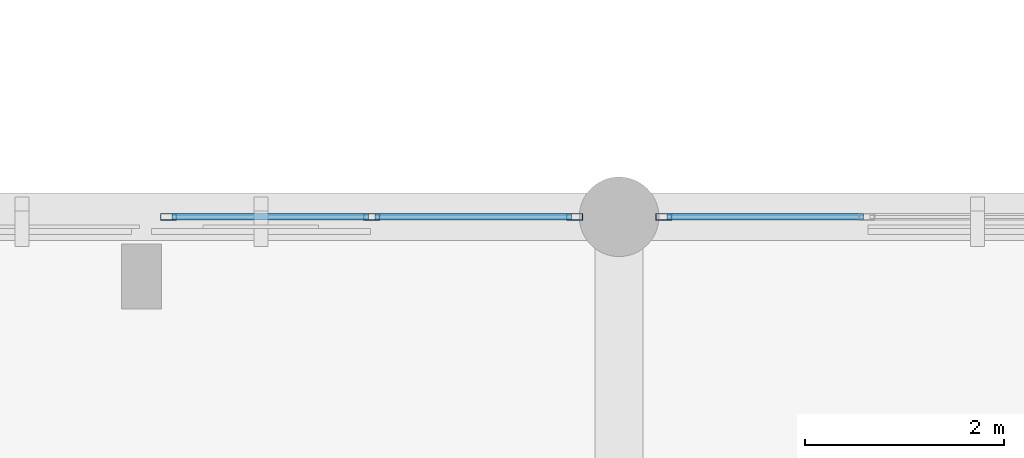
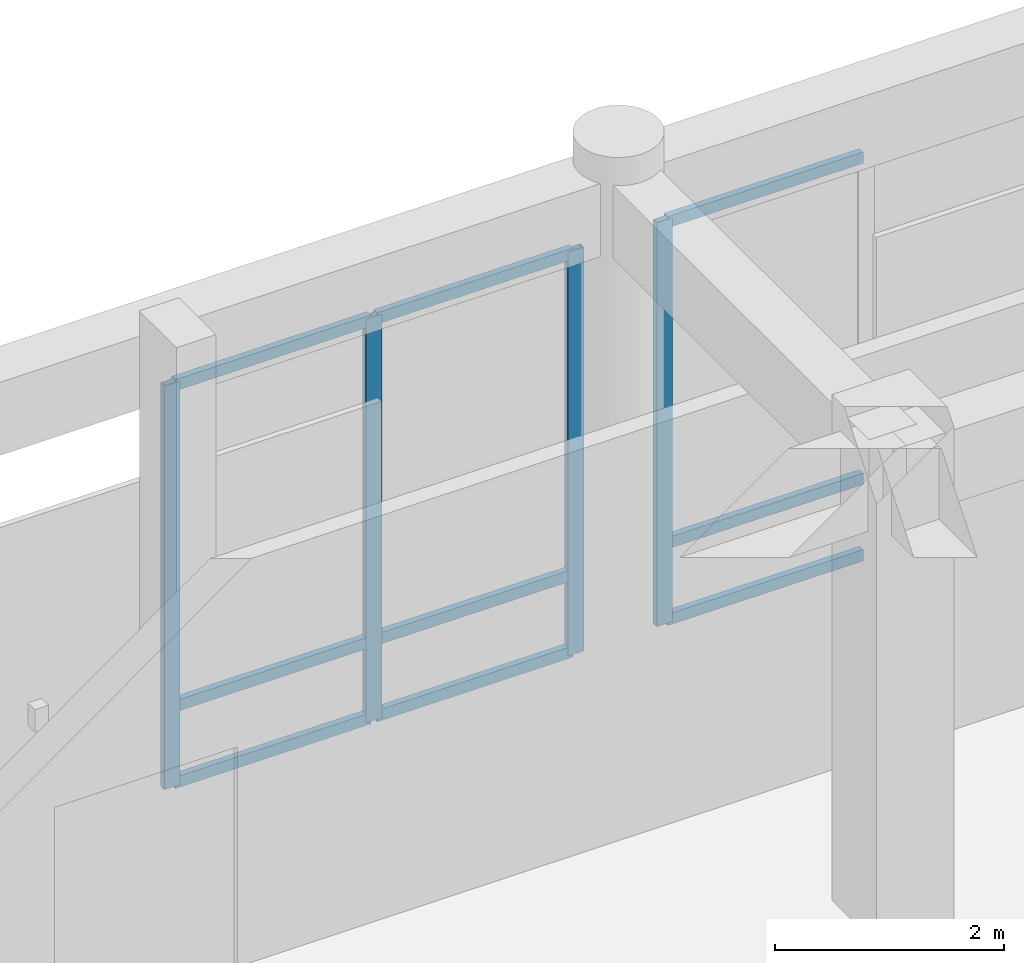
# One storey, part 26 of 134: 13 members, 2 elements without a shape of their own.
"""IFC4 building model written with IfcOpenShell, lengths in metres."""

from ifc_helpers import new_model, si_unit, direction, frame, origin, origin_2d, place, context, subcontext, project, spatial, hollow_rectangle, extrude, material, layer, layer_set, material_profile, profile_set, type_object, element, aggregate, save


model = new_model("IFC4")

# Units and contexts
model_context = context("Model", 3, precision=1e-05, world=origin(), true_north=direction((0.0, 1.0)))
body_context = subcontext(model_context, "Body", "Model", "MODEL_VIEW")
ifc_project = project(units=[si_unit("LENGTHUNIT", "METRE"), si_unit("AREAUNIT", "SQUARE_METRE"), si_unit("VOLUMEUNIT", "CUBIC_METRE"), si_unit("PLANEANGLEUNIT", "RADIAN"), si_unit("MASSUNIT", "GRAM", prefix="KILO")], contexts=[model_context])

# Site, building, storey
site_placement = place(None, origin())
site = spatial("IfcSite", under=ifc_project, at=site_placement, CompositionType="ELEMENT")
building_placement = place(site_placement, origin())
building = spatial("IfcBuilding", under=site, at=building_placement, Name="Nakhvara Creek Congress Hotel", CompositionType="ELEMENT")
storey_placement = place(building_placement, frame((0.0, 0.0, 6.0)))
storey = spatial("IfcBuildingStorey", under=building, at=storey_placement, Name="L01", CompositionType="ELEMENT", Elevation=6.0)

# Curtain wall, members
ifc_material_1 = material(Name="Bronze-anodised aluminium AW-6063-T6 and double-silver low-E glass", Category="aluminium")
ifc_layer = layer(ifc_material_1, 0.199951171875)
ifc_layer_set = layer_set([ifc_layer], Name="Bronze-anodised aluminium AW-6063-T6 and double-silver low-E glass")
curtain_wall_type = type_object("IfcCurtainWallType", Name="CW-POD-STICK", PredefinedType="NOTDEFINED", material=ifc_layer_set)
curtain_wall_1_placement = place(storey_placement, origin())
curtain_wall_1 = element("IfcCurtainWall", 1, at=curtain_wall_1_placement, inside=storey, type_object=curtain_wall_type, Name="Curtain Wall CW017", PredefinedType="NOTDEFINED")
ifc_material_2 = material(Name="Bronze-anodised aluminium AW-6063-T6", Category="aluminium")
ifc_material_profile_1 = material_profile(ifc_material_2, hollow_rectangle(XDim=0.06494140625, YDim=0.159912109375, WallThickness=0.00390625, at=origin_2d()), Name="ALU-MULL 65x160x4", Category="LoadBearing")
ifc_profile_set_1 = profile_set([ifc_material_profile_1], Name="Bronze-anodised aluminium AW-6063-T6")
member_type_1 = type_object("IfcMemberType", Name="CW-MULL-160", PredefinedType="MULLION", material=ifc_profile_set_1)
member_1_placement = place(storey_placement, frame((81.87255859375, 43.199951171875, 0.0), z_axis=(0.0, 0.0, 1.0), x_axis=(0.0, 1.0, 0.0)))
member_1 = element("IfcMember", 2, at=member_1_placement, type_object=member_type_1, Name="CW017 mullion 1", PredefinedType="MULLION", context=body_context, shape_type="SweptSolid", body=[
    extrude(hollow_rectangle(XDim=0.06494140625, YDim=0.159912109375, WallThickness=0.00390625, at=origin_2d()), origin(), (0.0, 0.0, 1.0), 4.31201171875),
])
member_2_placement = place(storey_placement, frame((83.91259765625, 43.199951171875, 0.0), z_axis=(0.0, 0.0, 1.0), x_axis=(0.0, 1.0, 0.0)))
member_2 = element("IfcMember", 3, at=member_2_placement, type_object=member_type_1, Name="CW017 mullion 2", PredefinedType="MULLION", context=body_context, shape_type="SweptSolid", body=[
    extrude(hollow_rectangle(XDim=0.06494140625, YDim=0.159912109375, WallThickness=0.00390625, at=origin_2d()), origin(), (0.0, 0.0, 1.0), 4.31201171875),
])
member_3_placement = place(storey_placement, frame((85.952392578125, 43.199951171875, 0.0), z_axis=(0.0, 0.0, 1.0), x_axis=(0.0, 1.0, 0.0)))
member_3 = element("IfcMember", 4, at=member_3_placement, type_object=member_type_1, Name="CW017 mullion 3", PredefinedType="MULLION", context=body_context, shape_type="SweptSolid", body=[
    extrude(hollow_rectangle(XDim=0.06494140625, YDim=0.159912109375, WallThickness=0.00390625, at=origin_2d()), origin(), (0.0, 0.0, 1.0), 4.31201171875),
])

# Curtain wall, member
curtain_wall_2_placement = place(storey_placement, origin())
curtain_wall_2 = element("IfcCurtainWall", 5, at=curtain_wall_2_placement, inside=storey, type_object=curtain_wall_type, Name="Curtain Wall CW019", PredefinedType="NOTDEFINED")
member_4_placement = place(storey_placement, frame((86.847412109375, 43.199951171875, 0.0), z_axis=(0.0, 0.0, 1.0), x_axis=(0.0, 1.0, 0.0)))
member_4 = element("IfcMember", 6, at=member_4_placement, type_object=member_type_1, Name="CW019 mullion 1", PredefinedType="MULLION", context=body_context, shape_type="SweptSolid", body=[
    extrude(hollow_rectangle(XDim=0.06494140625, YDim=0.159912109375, WallThickness=0.00390625, at=origin_2d()), origin(), (0.0, 0.0, 1.0), 4.31201171875),
])

# Member
ifc_material_profile_2 = material_profile(ifc_material_2, hollow_rectangle(XDim=0.06494140625, YDim=0.1201171875, WallThickness=0.00390625, at=origin_2d()), Name="ALU-TRAN 65x120x4", Category="LoadBearing")
ifc_profile_set_2 = profile_set([ifc_material_profile_2], Name="Bronze-anodised aluminium AW-6063-T6")
member_type_2 = type_object("IfcMemberType", Name="CW-TRAN-120", PredefinedType="USERDEFINED", material=ifc_profile_set_2)
member_5_placement = place(storey_placement, frame((81.905029296875, 43.199951171875, 0.032470703125), z_axis=(1.0, 0.0, 0.0), x_axis=(0.0, 1.0, 0.0)))
member_5 = element("IfcMember", 7, at=member_5_placement, type_object=member_type_2, Name="CW017 transom 1.1", ObjectType="TRANSOM", PredefinedType="USERDEFINED", context=body_context, shape_type="SweptSolid", body=[
    extrude(hollow_rectangle(XDim=0.06494140625, YDim=0.1201171875, WallThickness=0.00390625, at=origin_2d()), origin(), (0.0, 0.0, 1.0), 1.974853515625),
])

member_6_placement = place(storey_placement, frame((81.905029296875, 43.199951171875, 0.85009765625), z_axis=(1.0, 0.0, 0.0), x_axis=(0.0, 1.0, 0.0)))
member_6 = element("IfcMember", 8, at=member_6_placement, type_object=member_type_2, Name="CW017 transom 1.2", ObjectType="TRANSOM", PredefinedType="USERDEFINED", context=body_context, shape_type="SweptSolid", body=[
    extrude(hollow_rectangle(XDim=0.06494140625, YDim=0.1201171875, WallThickness=0.00390625, at=origin_2d()), origin(), (0.0, 0.0, 1.0), 1.974853515625),
])

member_7_placement = place(storey_placement, frame((81.905029296875, 43.199951171875, 4.279541015625), z_axis=(1.0, 0.0, 0.0), x_axis=(0.0, 1.0, 0.0)))
member_7 = element("IfcMember", 9, at=member_7_placement, type_object=member_type_2, Name="CW017 transom 1.3", ObjectType="TRANSOM", PredefinedType="USERDEFINED", context=body_context, shape_type="SweptSolid", body=[
    extrude(hollow_rectangle(XDim=0.06494140625, YDim=0.1201171875, WallThickness=0.00390625, at=origin_2d()), origin(), (0.0, 0.0, 1.0), 1.974853515625),
])

member_8_placement = place(storey_placement, frame((83.945068359375, 43.199951171875, 0.032470703125), z_axis=(1.0, 0.0, 0.0), x_axis=(0.0, 1.0, 0.0)))
member_8 = element("IfcMember", 10, at=member_8_placement, type_object=member_type_2, Name="CW017 transom 2.1", ObjectType="TRANSOM", PredefinedType="USERDEFINED", context=body_context, shape_type="SweptSolid", body=[
    extrude(hollow_rectangle(XDim=0.06494140625, YDim=0.1201171875, WallThickness=0.00390625, at=origin_2d()), origin(), (0.0, 0.0, 1.0), 1.974853515625),
])

member_9_placement = place(storey_placement, frame((83.945068359375, 43.199951171875, 0.85009765625), z_axis=(1.0, 0.0, 0.0), x_axis=(0.0, 1.0, 0.0)))
member_9 = element("IfcMember", 11, at=member_9_placement, type_object=member_type_2, Name="CW017 transom 2.2", ObjectType="TRANSOM", PredefinedType="USERDEFINED", context=body_context, shape_type="SweptSolid", body=[
    extrude(hollow_rectangle(XDim=0.06494140625, YDim=0.1201171875, WallThickness=0.00390625, at=origin_2d()), origin(), (0.0, 0.0, 1.0), 1.974853515625),
])

member_10_placement = place(storey_placement, frame((83.945068359375, 43.199951171875, 4.279541015625), z_axis=(1.0, 0.0, 0.0), x_axis=(0.0, 1.0, 0.0)))
member_10 = element("IfcMember", 12, at=member_10_placement, type_object=member_type_2, Name="CW017 transom 2.3", ObjectType="TRANSOM", PredefinedType="USERDEFINED", context=body_context, shape_type="SweptSolid", body=[
    extrude(hollow_rectangle(XDim=0.06494140625, YDim=0.1201171875, WallThickness=0.00390625, at=origin_2d()), origin(), (0.0, 0.0, 1.0), 1.974853515625),
])

aggregate(curtain_wall_1, [member_1, member_2, member_3, member_5, member_6, member_7, member_8, member_9, member_10])

member_11_placement = place(storey_placement, frame((86.8798828125, 43.199951171875, 0.032470703125), z_axis=(1.0, 0.0, 0.0), x_axis=(0.0, 1.0, 0.0)))
member_11 = element("IfcMember", 13, at=member_11_placement, type_object=member_type_2, Name="CW019 transom 1.1", ObjectType="TRANSOM", PredefinedType="USERDEFINED", context=body_context, shape_type="SweptSolid", body=[
    extrude(hollow_rectangle(XDim=0.06494140625, YDim=0.1201171875, WallThickness=0.00390625, at=origin_2d()), origin(), (0.0, 0.0, 1.0), 1.97509765625),
])

member_12_placement = place(storey_placement, frame((86.8798828125, 43.199951171875, 0.85009765625), z_axis=(1.0, 0.0, 0.0), x_axis=(0.0, 1.0, 0.0)))
member_12 = element("IfcMember", 14, at=member_12_placement, type_object=member_type_2, Name="CW019 transom 1.2", ObjectType="TRANSOM", PredefinedType="USERDEFINED", context=body_context, shape_type="SweptSolid", body=[
    extrude(hollow_rectangle(XDim=0.06494140625, YDim=0.1201171875, WallThickness=0.00390625, at=origin_2d()), origin(), (0.0, 0.0, 1.0), 1.97509765625),
])

member_13_placement = place(storey_placement, frame((86.8798828125, 43.199951171875, 4.279541015625), z_axis=(1.0, 0.0, 0.0), x_axis=(0.0, 1.0, 0.0)))
member_13 = element("IfcMember", 15, at=member_13_placement, type_object=member_type_2, Name="CW019 transom 1.3", ObjectType="TRANSOM", PredefinedType="USERDEFINED", context=body_context, shape_type="SweptSolid", body=[
    extrude(hollow_rectangle(XDim=0.06494140625, YDim=0.1201171875, WallThickness=0.00390625, at=origin_2d()), origin(), (0.0, 0.0, 1.0), 1.97509765625),
])

aggregate(curtain_wall_2, [member_4, member_11, member_12, member_13])

save(model, "model.ifc")
